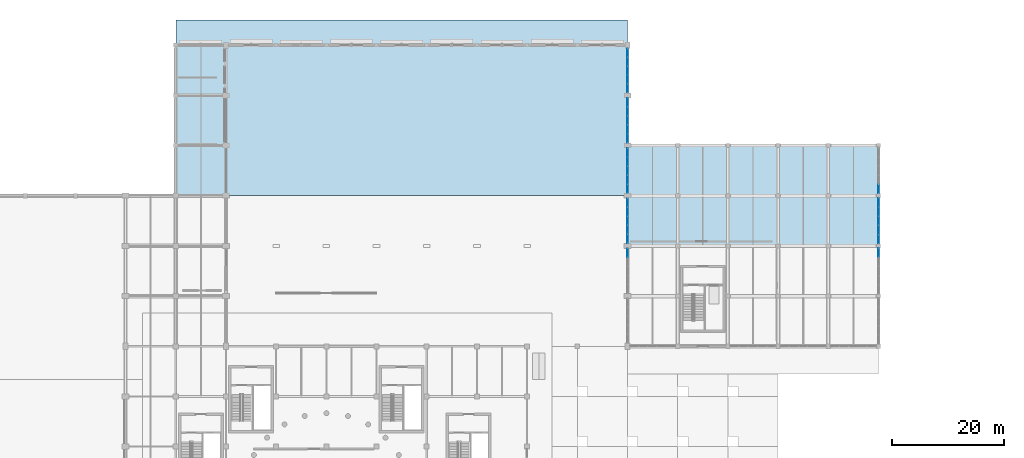
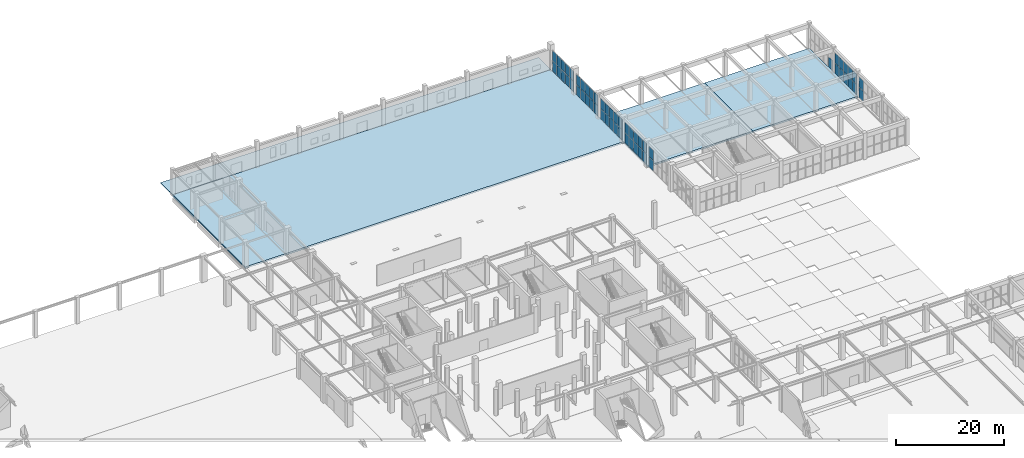
# One storey, part 58 of 91: 55 plates, 4 slabs, 8 elements without a shape of their own.
"""IFC4 building model written with IfcOpenShell, lengths in metres."""

from ifc_helpers import new_model, si_unit, direction, frame, origin, origin_2d, place, context, subcontext, project, spatial, polyline, rectangle, outline, extrude, material, layer, layer_set, type_object, element, aggregate, save


model = new_model("IFC4")

# Units and contexts
model_context = context("Model", 3, precision=1e-05, world=origin(), true_north=direction((0.0, 1.0)))
body_context = subcontext(model_context, "Body", "Model", "MODEL_VIEW")
ifc_project = project(units=[si_unit("LENGTHUNIT", "METRE"), si_unit("AREAUNIT", "SQUARE_METRE"), si_unit("VOLUMEUNIT", "CUBIC_METRE"), si_unit("PLANEANGLEUNIT", "RADIAN"), si_unit("MASSUNIT", "GRAM", prefix="KILO")], contexts=[model_context])

# Site, building, storey
site_placement = place(None, origin())
site = spatial("IfcSite", under=ifc_project, at=site_placement, CompositionType="ELEMENT")
building_placement = place(site_placement, origin())
building = spatial("IfcBuilding", under=site, at=building_placement, Name="Dornveld Trade and Exhibition Forum", CompositionType="ELEMENT")
storey_placement = place(building_placement, origin())
storey = spatial("IfcBuildingStorey", under=building, at=storey_placement, Name="L00", CompositionType="ELEMENT", Elevation=0.0)

# Curtain wall, plates
ifc_material_1 = material(Name="Dark-bronze anodised aluminium and low-E glass", Category="aluminium")
ifc_layer_1 = layer(ifc_material_1, 0.14794921875)
ifc_layer_set_1 = layer_set([ifc_layer_1], Name="Dark-bronze anodised aluminium and low-E glass")
curtain_wall_type_1 = type_object("IfcCurtainWallType", Name="CW-SYS-02", PredefinedType="USERDEFINED", material=ifc_layer_set_1)
curtain_wall_1_placement = place(storey_placement, origin())
curtain_wall_1 = element("IfcCurtainWall", 1, at=curtain_wall_1_placement, inside=storey, type_object=curtain_wall_type_1, Name="L00 unitised curtain wall 2", ObjectType="UNITISED_CURTAIN_WALL", PredefinedType="USERDEFINED")
ifc_material_2 = material(Name="Double-glazed low-E solar control glass", Category="glass")
ifc_layer_2 = layer(ifc_material_2, 0.028076171875)
ifc_layer_set_2 = layer_set([ifc_layer_2], Name="Double-glazed low-E solar control glass")
plate_type_1 = type_object("IfcPlateType", Name="CW-PNL-02", PredefinedType="CURTAIN_PANEL", material=ifc_layer_set_2)
plate_1_placement = place(storey_placement, frame((171.0, 124.728271484375, 0.055908203125), z_axis=(0.0, 0.0, 1.0), x_axis=(0.0, 1.0, 0.0)))
plate_1 = element("IfcPlate", 2, at=plate_1_placement, type_object=plate_type_1, Name="CW-02 panel 5.1", PredefinedType="CURTAIN_PANEL", context=body_context, shape_type="SweptSolid", body=[
    extrude(rectangle(XDim=1.531494140625, YDim=0.028076171875, at=origin_2d()), origin(), (0.0, 0.0, 1.0), 2.2919921875),
])
plate_2_placement = place(storey_placement, frame((171.0, 124.728271484375, 2.407958984375), z_axis=(0.0, 0.0, 1.0), x_axis=(0.0, 1.0, 0.0)))
plate_2 = element("IfcPlate", 3, at=plate_2_placement, type_object=plate_type_1, Name="CW-02 panel 5.2", PredefinedType="CURTAIN_PANEL", context=body_context, shape_type="SweptSolid", body=[
    extrude(rectangle(XDim=1.531494140625, YDim=0.028076171875, at=origin_2d()), origin(), (0.0, 0.0, 1.0), 2.2919921875),
])
aggregate(curtain_wall_1, [plate_1, plate_2])

ifc_material_3 = material(Name="Dark-bronze anodised aluminium and low-E glass", Category="aluminium")
ifc_layer_3 = layer(ifc_material_3, 0.15087890625)
ifc_layer_set_3 = layer_set([ifc_layer_3], Name="Dark-bronze anodised aluminium and low-E glass")
curtain_wall_type_2 = type_object("IfcCurtainWallType", Name="CW-SYS-03", PredefinedType="USERDEFINED", material=ifc_layer_set_3)
curtain_wall_2_placement = place(storey_placement, origin())
curtain_wall_2 = element("IfcCurtainWall", 4, at=curtain_wall_2_placement, inside=storey, type_object=curtain_wall_type_2, Name="L00 unitised curtain wall 3", ObjectType="UNITISED_CURTAIN_WALL", PredefinedType="USERDEFINED")
ifc_material_4 = material(Name="Double-glazed low-E solar control glass", Category="glass")
ifc_layer_4 = layer(ifc_material_4, 0.030029296875)
ifc_layer_set_4 = layer_set([ifc_layer_4], Name="Double-glazed low-E solar control glass")
plate_type_2 = type_object("IfcPlateType", Name="CW-PNL-03", PredefinedType="CURTAIN_PANEL", material=ifc_layer_set_4)
plate_3_placement = place(storey_placement, frame((171.0, 127.271728515625, 0.055908203125), z_axis=(0.0, 0.0, 1.0), x_axis=(0.0, 1.0, 0.0)))
plate_3 = element("IfcPlate", 5, at=plate_3_placement, type_object=plate_type_2, Name="CW-03 panel 1.1", PredefinedType="CURTAIN_PANEL", context=body_context, shape_type="SweptSolid", body=[
    extrude(rectangle(XDim=1.531494140625, YDim=0.030029296875, at=origin_2d()), origin(), (0.0, 0.0, 1.0), 2.2919921875),
])
plate_4_placement = place(storey_placement, frame((171.0, 127.271728515625, 2.407958984375), z_axis=(0.0, 0.0, 1.0), x_axis=(0.0, 1.0, 0.0)))
plate_4 = element("IfcPlate", 6, at=plate_4_placement, type_object=plate_type_2, Name="CW-03 panel 1.2", PredefinedType="CURTAIN_PANEL", context=body_context, shape_type="SweptSolid", body=[
    extrude(rectangle(XDim=1.531494140625, YDim=0.030029296875, at=origin_2d()), origin(), (0.0, 0.0, 1.0), 2.2919921875),
])
plate_5_placement = place(storey_placement, frame((171.0, 128.87841796875, 0.055908203125), z_axis=(0.0, 0.0, 1.0), x_axis=(0.0, 1.0, 0.0)))
plate_5 = element("IfcPlate", 7, at=plate_5_placement, type_object=plate_type_2, Name="CW-03 panel 2.1", PredefinedType="CURTAIN_PANEL", context=body_context, shape_type="SweptSolid", body=[
    extrude(rectangle(XDim=1.5615234375, YDim=0.030029296875, at=origin_2d()), origin(), (0.0, 0.0, 1.0), 2.2919921875),
])
plate_6_placement = place(storey_placement, frame((171.0, 128.87841796875, 2.407958984375), z_axis=(0.0, 0.0, 1.0), x_axis=(0.0, 1.0, 0.0)))
plate_6 = element("IfcPlate", 8, at=plate_6_placement, type_object=plate_type_2, Name="CW-03 panel 2.2", PredefinedType="CURTAIN_PANEL", context=body_context, shape_type="SweptSolid", body=[
    extrude(rectangle(XDim=1.5615234375, YDim=0.030029296875, at=origin_2d()), origin(), (0.0, 0.0, 1.0), 2.2919921875),
])
plate_7_placement = place(storey_placement, frame((171.0, 130.5, 0.055908203125), z_axis=(0.0, 0.0, 1.0), x_axis=(0.0, 1.0, 0.0)))
plate_7 = element("IfcPlate", 9, at=plate_7_placement, type_object=plate_type_2, Name="CW-03 panel 3.1", PredefinedType="CURTAIN_PANEL", context=body_context, shape_type="SweptSolid", body=[
    extrude(rectangle(XDim=1.5615234375, YDim=0.030029296875, at=origin_2d()), origin(), (0.0, 0.0, 1.0), 2.2919921875),
])
plate_8_placement = place(storey_placement, frame((171.0, 130.5, 2.407958984375), z_axis=(0.0, 0.0, 1.0), x_axis=(0.0, 1.0, 0.0)))
plate_8 = element("IfcPlate", 10, at=plate_8_placement, type_object=plate_type_2, Name="CW-03 panel 3.2", PredefinedType="CURTAIN_PANEL", context=body_context, shape_type="SweptSolid", body=[
    extrude(rectangle(XDim=1.5615234375, YDim=0.030029296875, at=origin_2d()), origin(), (0.0, 0.0, 1.0), 2.2919921875),
])
plate_9_placement = place(storey_placement, frame((171.0, 132.12158203125, 0.055908203125), z_axis=(0.0, 0.0, 1.0), x_axis=(0.0, 1.0, 0.0)))
plate_9 = element("IfcPlate", 11, at=plate_9_placement, type_object=plate_type_2, Name="CW-03 panel 4.1", PredefinedType="CURTAIN_PANEL", context=body_context, shape_type="SweptSolid", body=[
    extrude(rectangle(XDim=1.5615234375, YDim=0.030029296875, at=origin_2d()), origin(), (0.0, 0.0, 1.0), 2.2919921875),
])
plate_10_placement = place(storey_placement, frame((171.0, 132.12158203125, 2.407958984375), z_axis=(0.0, 0.0, 1.0), x_axis=(0.0, 1.0, 0.0)))
plate_10 = element("IfcPlate", 12, at=plate_10_placement, type_object=plate_type_2, Name="CW-03 panel 4.2", PredefinedType="CURTAIN_PANEL", context=body_context, shape_type="SweptSolid", body=[
    extrude(rectangle(XDim=1.5615234375, YDim=0.030029296875, at=origin_2d()), origin(), (0.0, 0.0, 1.0), 2.2919921875),
])
plate_11_placement = place(storey_placement, frame((171.0, 133.728271484375, 0.055908203125), z_axis=(0.0, 0.0, 1.0), x_axis=(0.0, 1.0, 0.0)))
plate_11 = element("IfcPlate", 13, at=plate_11_placement, type_object=plate_type_2, Name="CW-03 panel 5.1", PredefinedType="CURTAIN_PANEL", context=body_context, shape_type="SweptSolid", body=[
    extrude(rectangle(XDim=1.531494140625, YDim=0.030029296875, at=origin_2d()), origin(), (0.0, 0.0, 1.0), 2.2919921875),
])
plate_12_placement = place(storey_placement, frame((171.0, 133.728271484375, 2.407958984375), z_axis=(0.0, 0.0, 1.0), x_axis=(0.0, 1.0, 0.0)))
plate_12 = element("IfcPlate", 14, at=plate_12_placement, type_object=plate_type_2, Name="CW-03 panel 5.2", PredefinedType="CURTAIN_PANEL", context=body_context, shape_type="SweptSolid", body=[
    extrude(rectangle(XDim=1.531494140625, YDim=0.030029296875, at=origin_2d()), origin(), (0.0, 0.0, 1.0), 2.2919921875),
])
aggregate(curtain_wall_2, [plate_3, plate_4, plate_5, plate_6, plate_7, plate_8, plate_9, plate_10, plate_11, plate_12])

ifc_material_5 = material(Name="Dark-bronze anodised aluminium and low-E glass", Category="aluminium")
ifc_layer_5 = layer(ifc_material_5, 0.154052734375)
ifc_layer_set_5 = layer_set([ifc_layer_5], Name="Dark-bronze anodised aluminium and low-E glass")
curtain_wall_type_3 = type_object("IfcCurtainWallType", Name="CW-SYS-04", PredefinedType="USERDEFINED", material=ifc_layer_set_5)
curtain_wall_3_placement = place(storey_placement, origin())
curtain_wall_3 = element("IfcCurtainWall", 15, at=curtain_wall_3_placement, inside=storey, type_object=curtain_wall_type_3, Name="L00 unitised curtain wall 4", ObjectType="UNITISED_CURTAIN_WALL", PredefinedType="USERDEFINED")
ifc_material_6 = material(Name="Double-glazed low-E solar control glass", Category="glass")
ifc_layer_6 = layer(ifc_material_6, 0.031982421875)
ifc_layer_set_6 = layer_set([ifc_layer_6], Name="Double-glazed low-E solar control glass")
plate_type_3 = type_object("IfcPlateType", Name="CW-PNL-04", PredefinedType="CURTAIN_PANEL", material=ifc_layer_set_6)
plate_13_placement = place(storey_placement, frame((171.0, 136.271728515625, 0.055908203125), z_axis=(0.0, 0.0, 1.0), x_axis=(0.0, 1.0, 0.0)))
plate_13 = element("IfcPlate", 16, at=plate_13_placement, type_object=plate_type_3, Name="CW-04 panel 1.1", PredefinedType="CURTAIN_PANEL", context=body_context, shape_type="SweptSolid", body=[
    extrude(rectangle(XDim=1.531494140625, YDim=0.031982421875, at=origin_2d()), origin(), (0.0, 0.0, 1.0), 2.2919921875),
])
plate_14_placement = place(storey_placement, frame((171.0, 136.271728515625, 2.407958984375), z_axis=(0.0, 0.0, 1.0), x_axis=(0.0, 1.0, 0.0)))
plate_14 = element("IfcPlate", 17, at=plate_14_placement, type_object=plate_type_3, Name="CW-04 panel 1.2", PredefinedType="CURTAIN_PANEL", context=body_context, shape_type="SweptSolid", body=[
    extrude(rectangle(XDim=1.531494140625, YDim=0.031982421875, at=origin_2d()), origin(), (0.0, 0.0, 1.0), 2.2919921875),
])
plate_15_placement = place(storey_placement, frame((171.0, 137.87841796875, 0.055908203125), z_axis=(0.0, 0.0, 1.0), x_axis=(0.0, 1.0, 0.0)))
plate_15 = element("IfcPlate", 18, at=plate_15_placement, type_object=plate_type_3, Name="CW-04 panel 2.1", PredefinedType="CURTAIN_PANEL", context=body_context, shape_type="SweptSolid", body=[
    extrude(rectangle(XDim=1.5615234375, YDim=0.031982421875, at=origin_2d()), origin(), (0.0, 0.0, 1.0), 2.2919921875),
])
plate_16_placement = place(storey_placement, frame((171.0, 137.87841796875, 2.407958984375), z_axis=(0.0, 0.0, 1.0), x_axis=(0.0, 1.0, 0.0)))
plate_16 = element("IfcPlate", 19, at=plate_16_placement, type_object=plate_type_3, Name="CW-04 panel 2.2", PredefinedType="CURTAIN_PANEL", context=body_context, shape_type="SweptSolid", body=[
    extrude(rectangle(XDim=1.5615234375, YDim=0.031982421875, at=origin_2d()), origin(), (0.0, 0.0, 1.0), 2.2919921875),
])
plate_17_placement = place(storey_placement, frame((171.0, 139.5, 0.055908203125), z_axis=(0.0, 0.0, 1.0), x_axis=(0.0, 1.0, 0.0)))
plate_17 = element("IfcPlate", 20, at=plate_17_placement, type_object=plate_type_3, Name="CW-04 panel 3.1", PredefinedType="CURTAIN_PANEL", context=body_context, shape_type="SweptSolid", body=[
    extrude(rectangle(XDim=1.5615234375, YDim=0.031982421875, at=origin_2d()), origin(), (0.0, 0.0, 1.0), 2.2919921875),
])
plate_18_placement = place(storey_placement, frame((171.0, 139.5, 2.407958984375), z_axis=(0.0, 0.0, 1.0), x_axis=(0.0, 1.0, 0.0)))
plate_18 = element("IfcPlate", 21, at=plate_18_placement, type_object=plate_type_3, Name="CW-04 panel 3.2", PredefinedType="CURTAIN_PANEL", context=body_context, shape_type="SweptSolid", body=[
    extrude(rectangle(XDim=1.5615234375, YDim=0.031982421875, at=origin_2d()), origin(), (0.0, 0.0, 1.0), 2.2919921875),
])
plate_19_placement = place(storey_placement, frame((171.0, 141.12158203125, 0.055908203125), z_axis=(0.0, 0.0, 1.0), x_axis=(0.0, 1.0, 0.0)))
plate_19 = element("IfcPlate", 22, at=plate_19_placement, type_object=plate_type_3, Name="CW-04 panel 4.1", PredefinedType="CURTAIN_PANEL", context=body_context, shape_type="SweptSolid", body=[
    extrude(rectangle(XDim=1.5615234375, YDim=0.031982421875, at=origin_2d()), origin(), (0.0, 0.0, 1.0), 2.2919921875),
])
plate_20_placement = place(storey_placement, frame((171.0, 141.12158203125, 2.407958984375), z_axis=(0.0, 0.0, 1.0), x_axis=(0.0, 1.0, 0.0)))
plate_20 = element("IfcPlate", 23, at=plate_20_placement, type_object=plate_type_3, Name="CW-04 panel 4.2", PredefinedType="CURTAIN_PANEL", context=body_context, shape_type="SweptSolid", body=[
    extrude(rectangle(XDim=1.5615234375, YDim=0.031982421875, at=origin_2d()), origin(), (0.0, 0.0, 1.0), 2.2919921875),
])
plate_21_placement = place(storey_placement, frame((171.0, 142.728271484375, 0.055908203125), z_axis=(0.0, 0.0, 1.0), x_axis=(0.0, 1.0, 0.0)))
plate_21 = element("IfcPlate", 24, at=plate_21_placement, type_object=plate_type_3, Name="CW-04 panel 5.1", PredefinedType="CURTAIN_PANEL", context=body_context, shape_type="SweptSolid", body=[
    extrude(rectangle(XDim=1.531494140625, YDim=0.031982421875, at=origin_2d()), origin(), (0.0, 0.0, 1.0), 2.2919921875),
])
plate_22_placement = place(storey_placement, frame((171.0, 142.728271484375, 2.407958984375), z_axis=(0.0, 0.0, 1.0), x_axis=(0.0, 1.0, 0.0)))
plate_22 = element("IfcPlate", 25, at=plate_22_placement, type_object=plate_type_3, Name="CW-04 panel 5.2", PredefinedType="CURTAIN_PANEL", context=body_context, shape_type="SweptSolid", body=[
    extrude(rectangle(XDim=1.531494140625, YDim=0.031982421875, at=origin_2d()), origin(), (0.0, 0.0, 1.0), 2.2919921875),
])
aggregate(curtain_wall_3, [plate_13, plate_14, plate_15, plate_16, plate_17, plate_18, plate_19, plate_20, plate_21, plate_22])

ifc_material_7 = material(Name="Dark-bronze anodised aluminium and low-E glass", Category="aluminium")
ifc_layer_7 = layer(ifc_material_7, 0.156982421875)
ifc_layer_set_7 = layer_set([ifc_layer_7], Name="Dark-bronze anodised aluminium and low-E glass")
curtain_wall_type_4 = type_object("IfcCurtainWallType", Name="CW-SYS-05", PredefinedType="USERDEFINED", material=ifc_layer_set_7)
curtain_wall_4_placement = place(storey_placement, origin())
curtain_wall_4 = element("IfcCurtainWall", 26, at=curtain_wall_4_placement, inside=storey, type_object=curtain_wall_type_4, Name="L00 unitised curtain wall 5", ObjectType="UNITISED_CURTAIN_WALL", PredefinedType="USERDEFINED")
ifc_material_8 = material(Name="Double-glazed low-E solar control glass", Category="glass")
ifc_layer_8 = layer(ifc_material_8, 0.033935546875)
ifc_layer_set_8 = layer_set([ifc_layer_8], Name="Double-glazed low-E solar control glass")
plate_type_4 = type_object("IfcPlateType", Name="CW-PNL-05", PredefinedType="CURTAIN_PANEL", material=ifc_layer_set_8)
plate_23_placement = place(storey_placement, frame((171.0, 145.271728515625, 0.055908203125), z_axis=(0.0, 0.0, 1.0), x_axis=(0.0, 1.0, 0.0)))
plate_23 = element("IfcPlate", 27, at=plate_23_placement, type_object=plate_type_4, Name="CW-05 panel 1.1", PredefinedType="CURTAIN_PANEL", context=body_context, shape_type="SweptSolid", body=[
    extrude(rectangle(XDim=1.531494140625, YDim=0.033935546875, at=origin_2d()), origin(), (0.0, 0.0, 1.0), 2.2919921875),
])
plate_24_placement = place(storey_placement, frame((171.0, 145.271728515625, 2.407958984375), z_axis=(0.0, 0.0, 1.0), x_axis=(0.0, 1.0, 0.0)))
plate_24 = element("IfcPlate", 28, at=plate_24_placement, type_object=plate_type_4, Name="CW-05 panel 1.2", PredefinedType="CURTAIN_PANEL", context=body_context, shape_type="SweptSolid", body=[
    extrude(rectangle(XDim=1.531494140625, YDim=0.033935546875, at=origin_2d()), origin(), (0.0, 0.0, 1.0), 2.2919921875),
])
plate_25_placement = place(storey_placement, frame((171.0, 146.87841796875, 0.055908203125), z_axis=(0.0, 0.0, 1.0), x_axis=(0.0, 1.0, 0.0)))
plate_25 = element("IfcPlate", 29, at=plate_25_placement, type_object=plate_type_4, Name="CW-05 panel 2.1", PredefinedType="CURTAIN_PANEL", context=body_context, shape_type="SweptSolid", body=[
    extrude(rectangle(XDim=1.5615234375, YDim=0.033935546875, at=origin_2d()), origin(), (0.0, 0.0, 1.0), 2.2919921875),
])
plate_26_placement = place(storey_placement, frame((171.0, 146.87841796875, 2.407958984375), z_axis=(0.0, 0.0, 1.0), x_axis=(0.0, 1.0, 0.0)))
plate_26 = element("IfcPlate", 30, at=plate_26_placement, type_object=plate_type_4, Name="CW-05 panel 2.2", PredefinedType="CURTAIN_PANEL", context=body_context, shape_type="SweptSolid", body=[
    extrude(rectangle(XDim=1.5615234375, YDim=0.033935546875, at=origin_2d()), origin(), (0.0, 0.0, 1.0), 2.2919921875),
])
plate_27_placement = place(storey_placement, frame((171.0, 148.5, 0.055908203125), z_axis=(0.0, 0.0, 1.0), x_axis=(0.0, 1.0, 0.0)))
plate_27 = element("IfcPlate", 31, at=plate_27_placement, type_object=plate_type_4, Name="CW-05 panel 3.1", PredefinedType="CURTAIN_PANEL", context=body_context, shape_type="SweptSolid", body=[
    extrude(rectangle(XDim=1.5615234375, YDim=0.033935546875, at=origin_2d()), origin(), (0.0, 0.0, 1.0), 2.2919921875),
])
plate_28_placement = place(storey_placement, frame((171.0, 148.5, 2.407958984375), z_axis=(0.0, 0.0, 1.0), x_axis=(0.0, 1.0, 0.0)))
plate_28 = element("IfcPlate", 32, at=plate_28_placement, type_object=plate_type_4, Name="CW-05 panel 3.2", PredefinedType="CURTAIN_PANEL", context=body_context, shape_type="SweptSolid", body=[
    extrude(rectangle(XDim=1.5615234375, YDim=0.033935546875, at=origin_2d()), origin(), (0.0, 0.0, 1.0), 2.2919921875),
])
plate_29_placement = place(storey_placement, frame((171.0, 150.12158203125, 0.055908203125), z_axis=(0.0, 0.0, 1.0), x_axis=(0.0, 1.0, 0.0)))
plate_29 = element("IfcPlate", 33, at=plate_29_placement, type_object=plate_type_4, Name="CW-05 panel 4.1", PredefinedType="CURTAIN_PANEL", context=body_context, shape_type="SweptSolid", body=[
    extrude(rectangle(XDim=1.5615234375, YDim=0.033935546875, at=origin_2d()), origin(), (0.0, 0.0, 1.0), 2.2919921875),
])
plate_30_placement = place(storey_placement, frame((171.0, 150.12158203125, 2.407958984375), z_axis=(0.0, 0.0, 1.0), x_axis=(0.0, 1.0, 0.0)))
plate_30 = element("IfcPlate", 34, at=plate_30_placement, type_object=plate_type_4, Name="CW-05 panel 4.2", PredefinedType="CURTAIN_PANEL", context=body_context, shape_type="SweptSolid", body=[
    extrude(rectangle(XDim=1.5615234375, YDim=0.033935546875, at=origin_2d()), origin(), (0.0, 0.0, 1.0), 2.2919921875),
])
plate_31_placement = place(storey_placement, frame((171.0, 151.728271484375, 0.055908203125), z_axis=(0.0, 0.0, 1.0), x_axis=(0.0, 1.0, 0.0)))
plate_31 = element("IfcPlate", 35, at=plate_31_placement, type_object=plate_type_4, Name="CW-05 panel 5.1", PredefinedType="CURTAIN_PANEL", context=body_context, shape_type="SweptSolid", body=[
    extrude(rectangle(XDim=1.531494140625, YDim=0.033935546875, at=origin_2d()), origin(), (0.0, 0.0, 1.0), 2.2919921875),
])
plate_32_placement = place(storey_placement, frame((171.0, 151.728271484375, 2.407958984375), z_axis=(0.0, 0.0, 1.0), x_axis=(0.0, 1.0, 0.0)))
plate_32 = element("IfcPlate", 36, at=plate_32_placement, type_object=plate_type_4, Name="CW-05 panel 5.2", PredefinedType="CURTAIN_PANEL", context=body_context, shape_type="SweptSolid", body=[
    extrude(rectangle(XDim=1.531494140625, YDim=0.033935546875, at=origin_2d()), origin(), (0.0, 0.0, 1.0), 2.2919921875),
])
aggregate(curtain_wall_4, [plate_23, plate_24, plate_25, plate_26, plate_27, plate_28, plate_29, plate_30, plate_31, plate_32])

ifc_material_9 = material(Name="Dark-bronze anodised aluminium and low-E glass", Category="aluminium")
ifc_layer_9 = layer(ifc_material_9, 0.175048828125)
ifc_layer_set_9 = layer_set([ifc_layer_9], Name="Dark-bronze anodised aluminium and low-E glass")
curtain_wall_type_5 = type_object("IfcCurtainWallType", Name="CW-SYS-11", PredefinedType="USERDEFINED", material=ifc_layer_set_9)
curtain_wall_5_placement = place(storey_placement, origin())
curtain_wall_5 = element("IfcCurtainWall", 37, at=curtain_wall_5_placement, inside=storey, type_object=curtain_wall_type_5, Name="L00 unitised curtain wall 101", ObjectType="UNITISED_CURTAIN_WALL", PredefinedType="USERDEFINED")
plate_33_placement = place(storey_placement, frame((216.0, 124.7880859375, 0.055908203125), z_axis=(0.0, 0.0, 1.0), x_axis=(0.0, 1.0, 0.0)))
plate_33 = element("IfcPlate", 38, at=plate_33_placement, type_object=plate_type_4, Name="CW-11 panel 5.1", PredefinedType="CURTAIN_PANEL", context=body_context, shape_type="SweptSolid", body=[
    extrude(rectangle(XDim=1.5615234375, YDim=0.033935546875, at=origin_2d()), origin(), (0.0, 0.0, 1.0), 2.2919921875),
])
plate_34_placement = place(storey_placement, frame((216.0, 124.7880859375, 2.407958984375), z_axis=(0.0, 0.0, 1.0), x_axis=(0.0, 1.0, 0.0)))
plate_34 = element("IfcPlate", 39, at=plate_34_placement, type_object=plate_type_4, Name="CW-11 panel 5.2", PredefinedType="CURTAIN_PANEL", context=body_context, shape_type="SweptSolid", body=[
    extrude(rectangle(XDim=1.5615234375, YDim=0.033935546875, at=origin_2d()), origin(), (0.0, 0.0, 1.0), 2.2919921875),
])
aggregate(curtain_wall_5, [plate_33, plate_34])

ifc_material_10 = material(Name="Dark-bronze anodised aluminium and low-E glass", Category="aluminium")
ifc_layer_10 = layer(ifc_material_10, 0.159912109375)
ifc_layer_set_10 = layer_set([ifc_layer_10], Name="Dark-bronze anodised aluminium and low-E glass")
curtain_wall_type_6 = type_object("IfcCurtainWallType", Name="CW-SYS-06", PredefinedType="USERDEFINED", material=ifc_layer_set_10)
curtain_wall_6_placement = place(storey_placement, origin())
curtain_wall_6 = element("IfcCurtainWall", 40, at=curtain_wall_6_placement, inside=storey, type_object=curtain_wall_type_6, Name="L00 unitised curtain wall 6", ObjectType="UNITISED_CURTAIN_WALL", PredefinedType="USERDEFINED")
ifc_material_11 = material(Name="Double-glazed low-E solar control glass", Category="glass")
ifc_layer_11 = layer(ifc_material_11, 0.035888671875)
ifc_layer_set_11 = layer_set([ifc_layer_11], Name="Double-glazed low-E solar control glass")
plate_type_5 = type_object("IfcPlateType", Name="CW-PNL-06", PredefinedType="CURTAIN_PANEL", material=ifc_layer_set_11)
plate_35_placement = place(storey_placement, frame((171.0, 154.2568359375, 0.055908203125), z_axis=(0.0, 0.0, 1.0), x_axis=(0.0, 1.0, 0.0)))
plate_35 = element("IfcPlate", 41, at=plate_35_placement, type_object=plate_type_5, Name="CW-06 panel 1.1", PredefinedType="CURTAIN_PANEL", context=body_context, shape_type="SweptSolid", body=[
    extrude(rectangle(XDim=1.501708984375, YDim=0.035888671875, at=origin_2d()), origin(), (0.0, 0.0, 1.0), 2.2919921875),
])
plate_36_placement = place(storey_placement, frame((171.0, 154.2568359375, 2.407958984375), z_axis=(0.0, 0.0, 1.0), x_axis=(0.0, 1.0, 0.0)))
plate_36 = element("IfcPlate", 42, at=plate_36_placement, type_object=plate_type_5, Name="CW-06 panel 1.2", PredefinedType="CURTAIN_PANEL", context=body_context, shape_type="SweptSolid", body=[
    extrude(rectangle(XDim=1.501708984375, YDim=0.035888671875, at=origin_2d()), origin(), (0.0, 0.0, 1.0), 2.2919921875),
])
plate_37_placement = place(storey_placement, frame((171.0, 155.83349609375, 0.055908203125), z_axis=(0.0, 0.0, 1.0), x_axis=(0.0, 1.0, 0.0)))
plate_37 = element("IfcPlate", 43, at=plate_37_placement, type_object=plate_type_5, Name="CW-06 panel 2.1", PredefinedType="CURTAIN_PANEL", context=body_context, shape_type="SweptSolid", body=[
    extrude(rectangle(XDim=1.531494140625, YDim=0.035888671875, at=origin_2d()), origin(), (0.0, 0.0, 1.0), 2.2919921875),
])
plate_38_placement = place(storey_placement, frame((171.0, 155.83349609375, 2.407958984375), z_axis=(0.0, 0.0, 1.0), x_axis=(0.0, 1.0, 0.0)))
plate_38 = element("IfcPlate", 44, at=plate_38_placement, type_object=plate_type_5, Name="CW-06 panel 2.2", PredefinedType="CURTAIN_PANEL", context=body_context, shape_type="SweptSolid", body=[
    extrude(rectangle(XDim=1.531494140625, YDim=0.035888671875, at=origin_2d()), origin(), (0.0, 0.0, 1.0), 2.2919921875),
])
plate_39_placement = place(storey_placement, frame((171.0, 157.425048828125, 0.055908203125), z_axis=(0.0, 0.0, 1.0), x_axis=(0.0, 1.0, 0.0)))
plate_39 = element("IfcPlate", 45, at=plate_39_placement, type_object=plate_type_5, Name="CW-06 panel 3.1", PredefinedType="CURTAIN_PANEL", context=body_context, shape_type="SweptSolid", body=[
    extrude(rectangle(XDim=1.531494140625, YDim=0.035888671875, at=origin_2d()), origin(), (0.0, 0.0, 1.0), 2.2919921875),
])
plate_40_placement = place(storey_placement, frame((171.0, 157.425048828125, 2.407958984375), z_axis=(0.0, 0.0, 1.0), x_axis=(0.0, 1.0, 0.0)))
plate_40 = element("IfcPlate", 46, at=plate_40_placement, type_object=plate_type_5, Name="CW-06 panel 3.2", PredefinedType="CURTAIN_PANEL", context=body_context, shape_type="SweptSolid", body=[
    extrude(rectangle(XDim=1.531494140625, YDim=0.035888671875, at=origin_2d()), origin(), (0.0, 0.0, 1.0), 2.2919921875),
])
plate_41_placement = place(storey_placement, frame((171.0, 159.0166015625, 0.055908203125), z_axis=(0.0, 0.0, 1.0), x_axis=(0.0, 1.0, 0.0)))
plate_41 = element("IfcPlate", 47, at=plate_41_placement, type_object=plate_type_5, Name="CW-06 panel 4.1", PredefinedType="CURTAIN_PANEL", context=body_context, shape_type="SweptSolid", body=[
    extrude(rectangle(XDim=1.531494140625, YDim=0.035888671875, at=origin_2d()), origin(), (0.0, 0.0, 1.0), 2.2919921875),
])
plate_42_placement = place(storey_placement, frame((171.0, 159.0166015625, 2.407958984375), z_axis=(0.0, 0.0, 1.0), x_axis=(0.0, 1.0, 0.0)))
plate_42 = element("IfcPlate", 48, at=plate_42_placement, type_object=plate_type_5, Name="CW-06 panel 4.2", PredefinedType="CURTAIN_PANEL", context=body_context, shape_type="SweptSolid", body=[
    extrude(rectangle(XDim=1.531494140625, YDim=0.035888671875, at=origin_2d()), origin(), (0.0, 0.0, 1.0), 2.2919921875),
])
plate_43_placement = place(storey_placement, frame((171.0, 160.59326171875, 0.055908203125), z_axis=(0.0, 0.0, 1.0), x_axis=(0.0, 1.0, 0.0)))
plate_43 = element("IfcPlate", 49, at=plate_43_placement, type_object=plate_type_5, Name="CW-06 panel 5.1", PredefinedType="CURTAIN_PANEL", context=body_context, shape_type="SweptSolid", body=[
    extrude(rectangle(XDim=1.501708984375, YDim=0.035888671875, at=origin_2d()), origin(), (0.0, 0.0, 1.0), 2.2919921875),
])
plate_44_placement = place(storey_placement, frame((171.0, 160.59326171875, 2.407958984375), z_axis=(0.0, 0.0, 1.0), x_axis=(0.0, 1.0, 0.0)))
plate_44 = element("IfcPlate", 50, at=plate_44_placement, type_object=plate_type_5, Name="CW-06 panel 5.2", PredefinedType="CURTAIN_PANEL", context=body_context, shape_type="SweptSolid", body=[
    extrude(rectangle(XDim=1.501708984375, YDim=0.035888671875, at=origin_2d()), origin(), (0.0, 0.0, 1.0), 2.2919921875),
])
aggregate(curtain_wall_6, [plate_35, plate_36, plate_37, plate_38, plate_39, plate_40, plate_41, plate_42, plate_43, plate_44])

ifc_material_12 = material(Name="Dark-bronze anodised aluminium and low-E glass", Category="aluminium")
ifc_layer_12 = layer(ifc_material_12, 0.177978515625)
ifc_layer_set_12 = layer_set([ifc_layer_12], Name="Dark-bronze anodised aluminium and low-E glass")
curtain_wall_type_7 = type_object("IfcCurtainWallType", Name="CW-SYS-12", PredefinedType="USERDEFINED", material=ifc_layer_set_12)
curtain_wall_7_placement = place(storey_placement, origin())
curtain_wall_7 = element("IfcCurtainWall", 51, at=curtain_wall_7_placement, inside=storey, type_object=curtain_wall_type_7, Name="L00 unitised curtain wall 102", ObjectType="UNITISED_CURTAIN_WALL", PredefinedType="USERDEFINED")
plate_45_placement = place(storey_placement, frame((216.0, 127.2119140625, 0.055908203125), z_axis=(0.0, 0.0, 1.0), x_axis=(0.0, 1.0, 0.0)))
plate_45 = element("IfcPlate", 52, at=plate_45_placement, type_object=plate_type_5, Name="CW-12 panel 1.1", PredefinedType="CURTAIN_PANEL", context=body_context, shape_type="SweptSolid", body=[
    extrude(rectangle(XDim=1.5615234375, YDim=0.035888671875, at=origin_2d()), origin(), (0.0, 0.0, 1.0), 2.2919921875),
])
plate_46_placement = place(storey_placement, frame((216.0, 127.2119140625, 2.407958984375), z_axis=(0.0, 0.0, 1.0), x_axis=(0.0, 1.0, 0.0)))
plate_46 = element("IfcPlate", 53, at=plate_46_placement, type_object=plate_type_5, Name="CW-12 panel 1.2", PredefinedType="CURTAIN_PANEL", context=body_context, shape_type="SweptSolid", body=[
    extrude(rectangle(XDim=1.5615234375, YDim=0.035888671875, at=origin_2d()), origin(), (0.0, 0.0, 1.0), 2.2919921875),
])
plate_47_placement = place(storey_placement, frame((216.0, 128.848388671875, 0.055908203125), z_axis=(0.0, 0.0, 1.0), x_axis=(0.0, 1.0, 0.0)))
plate_47 = element("IfcPlate", 54, at=plate_47_placement, type_object=plate_type_5, Name="CW-12 panel 2.1", PredefinedType="CURTAIN_PANEL", context=body_context, shape_type="SweptSolid", body=[
    extrude(rectangle(XDim=1.591552734375, YDim=0.035888671875, at=origin_2d()), origin(), (0.0, 0.0, 1.0), 2.2919921875),
])
plate_48_placement = place(storey_placement, frame((216.0, 128.848388671875, 2.407958984375), z_axis=(0.0, 0.0, 1.0), x_axis=(0.0, 1.0, 0.0)))
plate_48 = element("IfcPlate", 55, at=plate_48_placement, type_object=plate_type_5, Name="CW-12 panel 2.2", PredefinedType="CURTAIN_PANEL", context=body_context, shape_type="SweptSolid", body=[
    extrude(rectangle(XDim=1.591552734375, YDim=0.035888671875, at=origin_2d()), origin(), (0.0, 0.0, 1.0), 2.2919921875),
])
plate_49_placement = place(storey_placement, frame((216.0, 130.5, 0.055908203125), z_axis=(0.0, 0.0, 1.0), x_axis=(0.0, 1.0, 0.0)))
plate_49 = element("IfcPlate", 56, at=plate_49_placement, type_object=plate_type_5, Name="CW-12 panel 3.1", PredefinedType="CURTAIN_PANEL", context=body_context, shape_type="SweptSolid", body=[
    extrude(rectangle(XDim=1.591552734375, YDim=0.035888671875, at=origin_2d()), origin(), (0.0, 0.0, 1.0), 2.2919921875),
])
plate_50_placement = place(storey_placement, frame((216.0, 130.5, 2.407958984375), z_axis=(0.0, 0.0, 1.0), x_axis=(0.0, 1.0, 0.0)))
plate_50 = element("IfcPlate", 57, at=plate_50_placement, type_object=plate_type_5, Name="CW-12 panel 3.2", PredefinedType="CURTAIN_PANEL", context=body_context, shape_type="SweptSolid", body=[
    extrude(rectangle(XDim=1.591552734375, YDim=0.035888671875, at=origin_2d()), origin(), (0.0, 0.0, 1.0), 2.2919921875),
])
plate_51_placement = place(storey_placement, frame((216.0, 132.151611328125, 0.055908203125), z_axis=(0.0, 0.0, 1.0), x_axis=(0.0, 1.0, 0.0)))
plate_51 = element("IfcPlate", 58, at=plate_51_placement, type_object=plate_type_5, Name="CW-12 panel 4.1", PredefinedType="CURTAIN_PANEL", context=body_context, shape_type="SweptSolid", body=[
    extrude(rectangle(XDim=1.591552734375, YDim=0.035888671875, at=origin_2d()), origin(), (0.0, 0.0, 1.0), 2.2919921875),
])
plate_52_placement = place(storey_placement, frame((216.0, 132.151611328125, 2.407958984375), z_axis=(0.0, 0.0, 1.0), x_axis=(0.0, 1.0, 0.0)))
plate_52 = element("IfcPlate", 59, at=plate_52_placement, type_object=plate_type_5, Name="CW-12 panel 4.2", PredefinedType="CURTAIN_PANEL", context=body_context, shape_type="SweptSolid", body=[
    extrude(rectangle(XDim=1.591552734375, YDim=0.035888671875, at=origin_2d()), origin(), (0.0, 0.0, 1.0), 2.2919921875),
])
plate_53_placement = place(storey_placement, frame((216.0, 133.7880859375, 0.055908203125), z_axis=(0.0, 0.0, 1.0), x_axis=(0.0, 1.0, 0.0)))
plate_53 = element("IfcPlate", 60, at=plate_53_placement, type_object=plate_type_5, Name="CW-12 panel 5.1", PredefinedType="CURTAIN_PANEL", context=body_context, shape_type="SweptSolid", body=[
    extrude(rectangle(XDim=1.5615234375, YDim=0.035888671875, at=origin_2d()), origin(), (0.0, 0.0, 1.0), 2.2919921875),
])
plate_54_placement = place(storey_placement, frame((216.0, 133.7880859375, 2.407958984375), z_axis=(0.0, 0.0, 1.0), x_axis=(0.0, 1.0, 0.0)))
plate_54 = element("IfcPlate", 61, at=plate_54_placement, type_object=plate_type_5, Name="CW-12 panel 5.2", PredefinedType="CURTAIN_PANEL", context=body_context, shape_type="SweptSolid", body=[
    extrude(rectangle(XDim=1.5615234375, YDim=0.035888671875, at=origin_2d()), origin(), (0.0, 0.0, 1.0), 2.2919921875),
])
aggregate(curtain_wall_7, [plate_45, plate_46, plate_47, plate_48, plate_49, plate_50, plate_51, plate_52, plate_53, plate_54])

# Curtain wall, plate
ifc_material_13 = material(Name="Dark-bronze anodised aluminium and low-E glass", Category="aluminium")
ifc_layer_13 = layer(ifc_material_13, 0.180908203125)
ifc_layer_set_13 = layer_set([ifc_layer_13], Name="Dark-bronze anodised aluminium and low-E glass")
curtain_wall_type_8 = type_object("IfcCurtainWallType", Name="CW-SYS-13", PredefinedType="USERDEFINED", material=ifc_layer_set_13)
curtain_wall_8_placement = place(storey_placement, origin())
curtain_wall_8 = element("IfcCurtainWall", 62, at=curtain_wall_8_placement, inside=storey, type_object=curtain_wall_type_8, Name="L00 unitised curtain wall 103", ObjectType="UNITISED_CURTAIN_WALL", PredefinedType="USERDEFINED")
ifc_material_14 = material(Name="Double-glazed low-E solar control glass", Category="glass")
ifc_layer_14 = layer(ifc_material_14, 0.0380859375)
ifc_layer_set_14 = layer_set([ifc_layer_14], Name="Double-glazed low-E solar control glass")
plate_type_6 = type_object("IfcPlateType", Name="CW-PNL-07", PredefinedType="CURTAIN_PANEL", material=ifc_layer_set_14)
plate_55_placement = place(storey_placement, frame((216.0, 136.2119140625, 0.055908203125), z_axis=(0.0, 0.0, 1.0), x_axis=(0.0, 1.0, 0.0)))
plate_55 = element("IfcPlate", 63, at=plate_55_placement, type_object=plate_type_6, Name="CW-13 panel 1.1", PredefinedType="CURTAIN_PANEL", context=body_context, shape_type="SweptSolid", body=[
    extrude(rectangle(XDim=1.5615234375, YDim=0.0380859375, at=origin_2d()), origin(), (0.0, 0.0, 1.0), 2.2919921875),
])
aggregate(curtain_wall_8, [plate_55])

# Slabs
ifc_material_15 = material(Name="Precast concrete C50/60", Category="concrete")
ifc_layer_15 = layer(ifc_material_15, 0.2099609375)
ifc_layer_set_15 = layer_set([ifc_layer_15], Name="Precast concrete C50/60")
slab_type_1 = type_object("IfcSlabType", Name="SL-EXT-01", PredefinedType="BASESLAB", material=ifc_layer_set_15)
slab_1_placement = place(storey_placement, frame((0.0, 0.0, -0.2099609375)))
element("IfcSlab", 64, at=slab_1_placement, inside=storey, type_object=slab_type_1, Name="L00 perimeter court paving PAV-N", PredefinedType="BASESLAB", context=body_context, shape_type="SweptSolid", body=[
    extrude(outline(polyline([(90.0, 166.5), (171.0, 166.5), (171.0, 162.001953125), (90.0, 162.001953125), (90.0, 166.5)])), origin(), (0.0, 0.0, 1.0), 0.2099609375),
])
ifc_material_16 = material(Name="Concrete C40/50", Category="concrete")
ifc_layer_16 = layer(ifc_material_16, 0.3798828125)
ifc_layer_set_16 = layer_set([ifc_layer_16], Name="Concrete C40/50")
slab_type_2 = type_object("IfcSlabType", Name="SL-HALL-380", PredefinedType="BASESLAB", material=ifc_layer_set_16)
slab_2_placement = place(storey_placement, frame((0.0, 0.0, -0.3798828125)))
element("IfcSlab", 65, at=slab_2_placement, inside=storey, type_object=slab_type_2, Name="L00 structural slab panel 14", PredefinedType="BASESLAB", context=body_context, shape_type="SweptSolid", body=[
    extrude(outline(polyline([(90.0, 135.0), (171.0, 135.0), (171.0, 162.0), (90.0, 162.0), (90.0, 135.0)])), origin(), (0.0, 0.0, 1.0), 0.3798828125),
])
slab_3_placement = place(storey_placement, frame((0.0, 0.0, -0.3798828125)))
element("IfcSlab", 66, at=slab_3_placement, inside=storey, type_object=slab_type_2, Name="L00 structural slab panel 27", PredefinedType="BASESLAB", context=body_context, shape_type="SweptSolid", body=[
    extrude(outline(polyline([(171.0, 126.0), (193.5, 126.0), (193.5, 144.0), (171.0, 144.0), (171.0, 126.0)])), origin(), (0.0, 0.0, 1.0), 0.3798828125),
])
slab_4_placement = place(storey_placement, frame((0.0, 0.0, -0.3798828125)))
element("IfcSlab", 67, at=slab_4_placement, inside=storey, type_object=slab_type_2, Name="L00 structural slab panel 29", PredefinedType="BASESLAB", context=body_context, shape_type="SweptSolid", body=[
    extrude(outline(polyline([(193.5, 126.0), (216.0, 126.0), (216.0, 144.0), (193.5, 144.0), (193.5, 126.0)])), origin(), (0.0, 0.0, 1.0), 0.3798828125),
])

save(model, "model.ifc")
